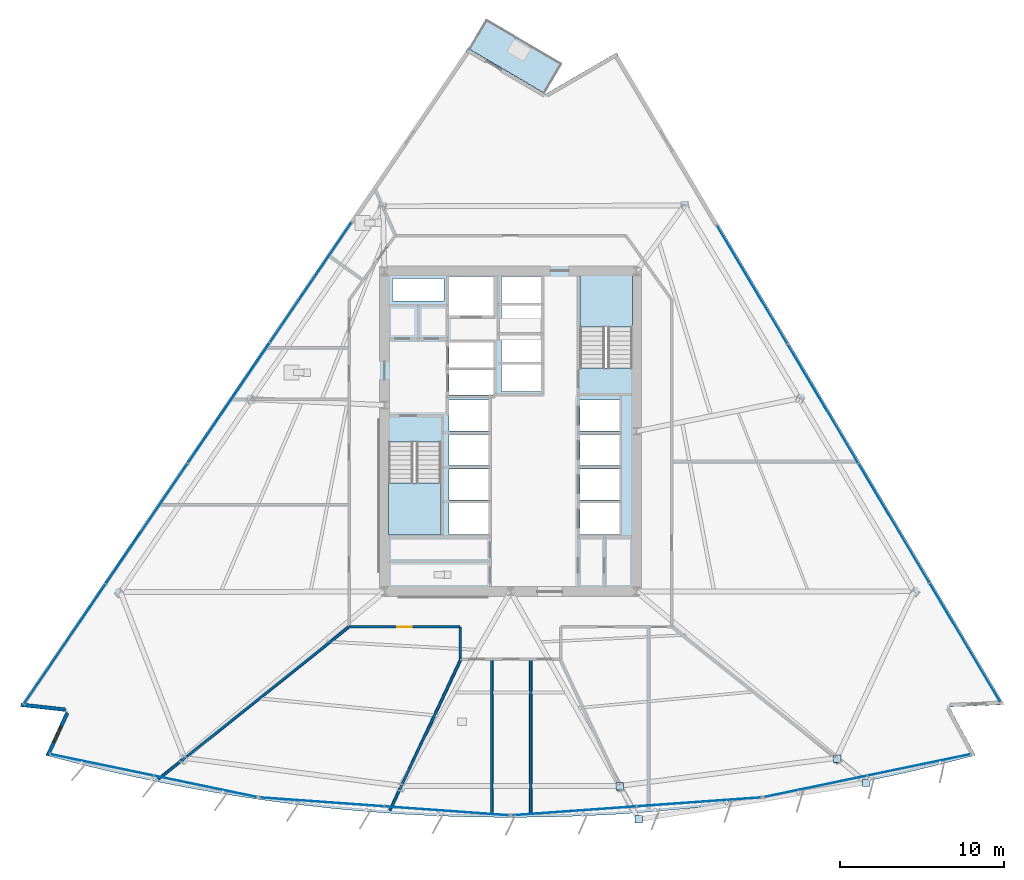
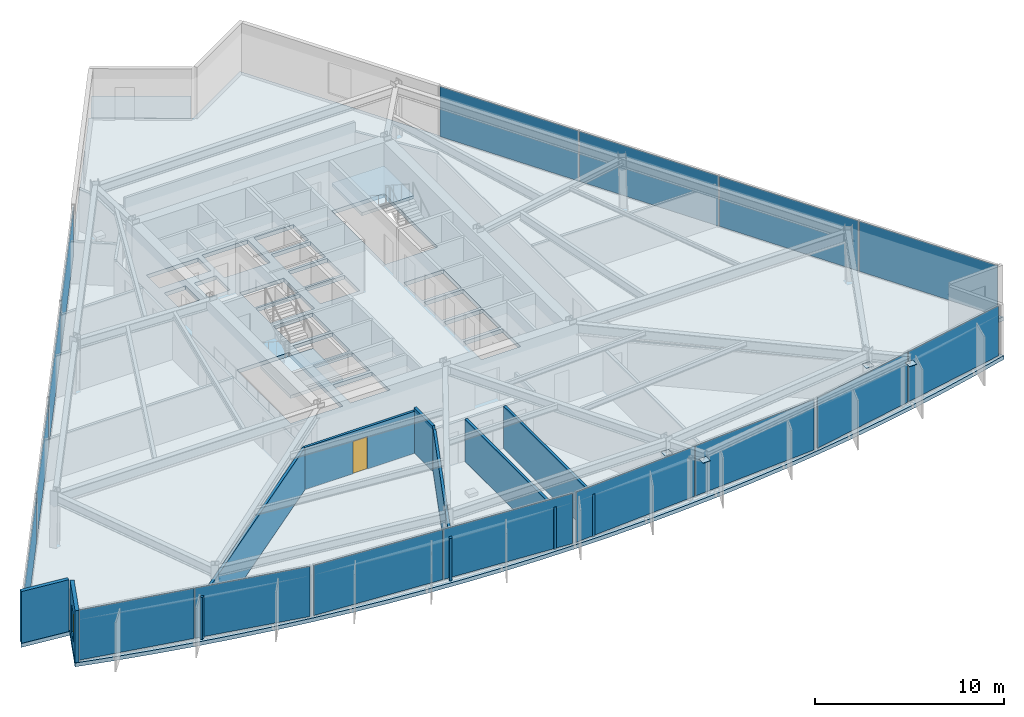
# One storey, part 8 of 18: 20 plates, 8 walls, 4 slabs, 1 door, 1 window, 2 openings, 8 elements without a shape of their own.
"""IFC4 building model written with IfcOpenShell, lengths in metres."""

import ifcopenshell
import ifcopenshell.guid

model = None  # the IFC model being written
_history = None  # IfcOwnerHistory: only IFC2X3 demands one
_inside = {}  # id of a spatial element -> (the spatial element, [elements in it])
_under = {}  # id of a project, library or spatial element -> (it, [spatial elements below it])
_declared = {}  # id of a project -> (the project, [libraries it declares])
_typed = {}  # id of a type object -> (the type object, [elements of that type])
_made_of = {}  # id of a material, layer set ... -> (it, [elements and type objects made of it])


def new_model(schema):
    """Start an empty IFC model of exactly this schema.

    Asked for "IFC4X3", IfcOpenShell would pick the latest addendum, in which some entities
    have other attributes; the version numbers below select the first issue.
    IFC2X3 requires an IfcOwnerHistory on every rooted entity: one is made here for all.
    """
    global model, _history
    if schema == "IFC4X3":
        model = ifcopenshell.file(schema_version=(4, 3, 0, 0))
    else:
        model = ifcopenshell.file(schema=schema)
    _inside.clear()
    _under.clear()
    _declared.clear()
    _typed.clear()
    _made_of.clear()
    _history = None
    if model.schema == "IFC2X3":
        org = make("IfcOrganization", Name="unknown")
        user = make(
            "IfcPersonAndOrganization",
            ThePerson=make("IfcPerson", FamilyName="unknown"),
            TheOrganization=org,
        )
        app = make(
            "IfcApplication",
            ApplicationDeveloper=org,
            Version="unknown",
            ApplicationFullName="unknown",
            ApplicationIdentifier="unknown",
        )
        _history = make(
            "IfcOwnerHistory",
            OwningUser=user,
            OwningApplication=app,
            ChangeAction="ADDED",
            CreationDate=0,
        )
    return model


def make(cls, **values):
    """One entity of the class cls with the attributes given. An attribute that is None is left unset."""
    return model.create_entity(
        cls, **{name: value for name, value in values.items() if value is not None}
    )


def rooted(cls, **values):
    """An entity with a GlobalId (a new one), such as an element, a storey or a relation."""
    return make(cls, GlobalId=ifcopenshell.guid.new(), OwnerHistory=_history, **values)


def si_unit(unit_type, name, prefix=None):
    """IfcSIUnit, for example si_unit("LENGTHUNIT", "METRE", prefix="MILLI")."""
    return make("IfcSIUnit", UnitType=unit_type, Prefix=prefix, Name=name)


def assignment(units):
    """IfcUnitAssignment: the units of a project."""
    return None if units is None else make("IfcUnitAssignment", Units=units)


def point(xyz):
    """IfcCartesianPoint."""
    return None if xyz is None else make("IfcCartesianPoint", Coordinates=xyz)


def direction(xyz):
    """IfcDirection."""
    return None if xyz is None else make("IfcDirection", DirectionRatios=xyz)


def frame(location, z_axis=None, x_axis=None):
    """IfcAxis2Placement3D, a coordinate frame: its origin and axes. An axis left out is left unset."""
    return make(
        "IfcAxis2Placement3D",
        Location=point(location),
        Axis=direction(z_axis),
        RefDirection=direction(x_axis),
    )


def frame_2d(location, x_axis=None):
    """IfcAxis2Placement2D, a coordinate frame in the plane: its origin and x axis."""
    return make(
        "IfcAxis2Placement2D", Location=point(location), RefDirection=direction(x_axis)
    )


def origin():
    """The frame at (0, 0, 0) with its axes left unset."""
    return frame((0.0, 0.0, 0.0))


def origin_2d():
    """The frame at (0, 0) in the plane with its x axis left unset."""
    return frame_2d((0.0, 0.0))


def place(relative_to, where):
    """IfcLocalPlacement: puts the frame where relative to a parent placement (None: the world)."""
    return make(
        "IfcLocalPlacement", PlacementRelTo=relative_to, RelativePlacement=where
    )


def context(
    kind, dimensions, precision=None, world=None, true_north=None, identifier=None
):
    """IfcGeometricRepresentationContext, for example the 3D "Model" context."""
    return make(
        "IfcGeometricRepresentationContext",
        ContextIdentifier=identifier,
        ContextType=kind,
        CoordinateSpaceDimension=dimensions,
        Precision=precision,
        WorldCoordinateSystem=world,
        TrueNorth=true_north,
    )


def subcontext(parent, identifier, kind, view, scale=None):
    """IfcGeometricRepresentationSubContext, for example "Body" below "Model"."""
    return make(
        "IfcGeometricRepresentationSubContext",
        ContextIdentifier=identifier,
        ContextType=kind,
        ParentContext=parent,
        TargetScale=scale,
        TargetView=view,
    )


def project(units=None, contexts=None):
    """IfcProject with its units and contexts."""
    return rooted(
        "IfcProject",
        Name="project",
        RepresentationContexts=contexts,
        UnitsInContext=assignment(units),
    )


def spatial(cls, under=None, at=None, **own):
    """A site, building, storey or space (cls), placed at a placement, below another one or the project."""
    s = rooted(cls, ObjectPlacement=at, **own)
    if under is not None:
        _under.setdefault(under.id(), (under, []))[1].append(s)
    return s


def polyline(points):
    """IfcPolyline through the points."""
    return make("IfcPolyline", Points=[point(p) for p in points])


def profile(cls, at=None, kind="AREA", **sizes):
    """A parametric profile (cls). Its sizes go by their IFC names, for example OverallWidth=200.0."""
    return make(cls, ProfileType=kind, Position=at, **sizes)


def rectangle(**sizes):
    """IfcRectangleProfileDef."""
    return profile("IfcRectangleProfileDef", **sizes)


def outline(outer, holes=None, kind="AREA"):
    """IfcArbitraryClosedProfileDef: a profile drawn as a closed curve; with holes, ...WithVoids."""
    if holes is None:
        return make("IfcArbitraryClosedProfileDef", ProfileType=kind, OuterCurve=outer)
    return make(
        "IfcArbitraryProfileDefWithVoids",
        ProfileType=kind,
        OuterCurve=outer,
        InnerCurves=holes,
    )


def extrude(swept, where, along, depth):
    """IfcExtrudedAreaSolid: the profile swept, set in the frame where, extruded along a direction by depth."""
    return make(
        "IfcExtrudedAreaSolid",
        SweptArea=swept,
        Position=where,
        ExtrudedDirection=direction(along),
        Depth=depth,
    )


def shape(context_of_items, identifier, shape_type, items):
    """IfcShapeRepresentation: the items that make up one representation, for example the "Body"."""
    return make(
        "IfcShapeRepresentation",
        ContextOfItems=context_of_items,
        RepresentationIdentifier=identifier,
        RepresentationType=shape_type,
        Items=items,
    )


def material(Name=None, Category=None):
    """IfcMaterial."""
    return make("IfcMaterial", Name=Name, Category=Category)


def layer(
    of_material, thickness, ventilated=None, Name=None, Category=None, Priority=None
):
    """IfcMaterialLayer: one layer of a wall or slab, of a material (None: an air gap)."""
    return make(
        "IfcMaterialLayer",
        Material=of_material,
        LayerThickness=thickness,
        IsVentilated=ventilated,
        Name=Name,
        Category=Category,
        Priority=Priority,
    )


def layer_set(layers, Name=None):
    """IfcMaterialLayerSet."""
    return make("IfcMaterialLayerSet", MaterialLayers=layers, LayerSetName=Name)


def made_of(thing, what):
    """Note that an element or type object is made of a material, layer set ...; save() writes the relation."""
    if what is not None:
        _made_of.setdefault(what.id(), (what, []))[1].append(thing)
    return thing


def type_object(cls, material=None, **own):
    """A type object (cls), such as IfcWallType, which elements share."""
    return made_of(rooted(cls, **own), material)


def element(
    cls,
    number,
    at=None,
    inside=None,
    cuts=None,
    type_object=None,
    material=None,
    context=None,
    identifier="Body",
    shape_type=None,
    held_by="IfcProductDefinitionShape",
    body=None,
    shapes=None,
    **own,
):
    """One element of the class cls, such as IfcWall. Its Tag is "e" and its number.

    at: its placement. inside: the storey or other place that contains it. cuts: it is an
    opening in that element (IfcRelVoidsElement). A single representation is given by context,
    identifier, shape_type and body (its items); several are given by shapes. held_by: the class
    of the entity that holds the representations. save() writes the other relations.
    """
    e = rooted(cls, Tag="e%d" % number, ObjectPlacement=at, **own)
    if body is not None:
        shapes = [shape(context, identifier, shape_type, body)]
    if shapes is not None:
        e.Representation = make(held_by, Representations=shapes)
    if inside is not None:
        _inside.setdefault(inside.id(), (inside, []))[1].append(e)
    if cuts is not None:
        rooted(
            "IfcRelVoidsElement", RelatingBuildingElement=cuts, RelatedOpeningElement=e
        )
    if type_object is not None:
        _typed.setdefault(type_object.id(), (type_object, []))[1].append(e)
    return made_of(e, material)


def fill(opening, filler):
    """IfcRelFillsElement: the door or window that sits in an opening."""
    return rooted(
        "IfcRelFillsElement",
        RelatingOpeningElement=opening,
        RelatedBuildingElement=filler,
    )


def aggregate(whole, parts):
    """IfcRelAggregates: a whole, such as a stair, and the parts it consists of."""
    return rooted("IfcRelAggregates", RelatingObject=whole, RelatedObjects=parts)


def save(model, path):
    """Write the relations noted so far, then the file.

    IfcRelAggregates (storeys below a building ...), IfcRelContainedInSpatialStructure (elements
    in a storey), IfcRelDefinesByType, IfcRelAssociatesMaterial and IfcRelDeclares: one each for
    every whole, place, type object, material and project.
    """
    for whole, parts in _under.values():
        aggregate(whole, parts)
    for where, things in _inside.values():
        rooted(
            "IfcRelContainedInSpatialStructure",
            RelatedElements=things,
            RelatingStructure=where,
        )
    for kind, things in _typed.values():
        rooted("IfcRelDefinesByType", RelatedObjects=things, RelatingType=kind)
    for what, things in _made_of.values():
        rooted("IfcRelAssociatesMaterial", RelatedObjects=things, RelatingMaterial=what)
    for by, libraries in _declared.values():
        rooted("IfcRelDeclares", RelatingContext=by, RelatedDefinitions=libraries)
    model.write(path)


model = new_model("IFC4")

# Units and contexts
model_context = context("Model", 3, precision=1e-05, world=origin(), true_north=direction((0.0, 1.0)))
body_context = subcontext(model_context, "Body", "Model", "MODEL_VIEW")
ifc_project = project(units=[si_unit("LENGTHUNIT", "METRE"), si_unit("AREAUNIT", "SQUARE_METRE"), si_unit("VOLUMEUNIT", "CUBIC_METRE"), si_unit("PLANEANGLEUNIT", "RADIAN"), si_unit("MASSUNIT", "GRAM", prefix="KILO")], contexts=[model_context])

# Site, building, storey
site_placement = place(None, origin())
site = spatial("IfcSite", under=ifc_project, at=site_placement, CompositionType="ELEMENT")
building_placement = place(site_placement, origin())
building = spatial("IfcBuilding", under=site, at=building_placement, Name="Savorim Split Tower", CompositionType="ELEMENT")
storey_placement = place(building_placement, frame((0.0, 0.0, 44.39990234375)))
storey = spatial("IfcBuildingStorey", under=building, at=storey_placement, Name="L11", CompositionType="ELEMENT", Elevation=44.39990234375)

# Curtain wall, plates
ifc_material_1 = material(Name="Dark Ceramic-Fritted Insulated Glass", Category="glass")
curtain_wall_type = type_object("IfcCurtainWallType", Name="CW-TWR-FRIT-A", PredefinedType="NOTDEFINED", material=ifc_material_1)
curtain_wall_1_placement = place(storey_placement, origin())
curtain_wall_1 = element("IfcCurtainWall", 1, at=curtain_wall_1_placement, inside=storey, type_object=curtain_wall_type, Name="L11 Curtain Wall CW-L11-SF1", PredefinedType="NOTDEFINED")
ifc_layer_1 = layer(ifc_material_1, 0.028076171875)
ifc_layer_set_1 = layer_set([ifc_layer_1], Name="CWP-FRITA-28")
plate_type_1 = type_object("IfcPlateType", Name="CWP-FRITA-28", PredefinedType="CURTAIN_PANEL", material=ifc_layer_set_1)
plate_1_placement = place(storey_placement, frame((-24.96826171875, -19.98974609375, 0.05517578125), z_axis=(0.0, 0.0, 1.0), x_axis=(0.979135110549, -0.203210322793, 0.0)))
plate_1 = element("IfcPlate", 2, at=plate_1_placement, type_object=plate_type_1, Name="CW-02 panel 1.1", PredefinedType="CURTAIN_PANEL", context=body_context, shape_type="SweptSolid", body=[
    extrude(rectangle(XDim=6.39013671875, YDim=0.028076171875, at=origin_2d()), origin(), (0.0, 0.0, 1.0), 3.239990234375),
])
plate_2_placement = place(storey_placement, frame((-18.647705078125, -21.301513671875, 0.05517578125), z_axis=(0.0, 0.0, 1.0), x_axis=(0.979135110549, -0.203210322793, 0.0)))
plate_2 = element("IfcPlate", 3, at=plate_2_placement, type_object=plate_type_1, Name="CW-02 panel 2.1", PredefinedType="CURTAIN_PANEL", context=body_context, shape_type="SweptSolid", body=[
    extrude(rectangle(XDim=6.39013671875, YDim=0.028076171875, at=origin_2d()), origin(), (0.0, 0.0, 1.0), 3.239990234375),
])
aggregate(curtain_wall_1, [plate_1, plate_2])

curtain_wall_2_placement = place(storey_placement, origin())
curtain_wall_2 = element("IfcCurtainWall", 4, at=curtain_wall_2_placement, inside=storey, type_object=curtain_wall_type, Name="L11 Curtain Wall CW-L11-SF2", PredefinedType="NOTDEFINED")
plate_3_placement = place(storey_placement, frame((-11.51123046875, -22.25390625, 0.05517578125), z_axis=(0.0, 0.0, 1.0), x_axis=(0.997436282589, -0.071560199658, 0.0)))
plate_3 = element("IfcPlate", 5, at=plate_3_placement, type_object=plate_type_1, Name="CW-02 panel 1.1", PredefinedType="CURTAIN_PANEL", context=body_context, shape_type="SweptSolid", body=[
    extrude(rectangle(XDim=7.572998046875, YDim=0.028076171875, at=origin_2d()), origin(), (0.0, 0.0, 1.0), 3.239990234375),
])
plate_4_placement = place(storey_placement, frame((-3.892822265625, -22.80029296875, 0.05517578125), z_axis=(0.0, 0.0, 1.0), x_axis=(0.997436282589, -0.071560199658, 0.0)))
plate_4 = element("IfcPlate", 6, at=plate_4_placement, type_object=plate_type_1, Name="CW-02 panel 2.1", PredefinedType="CURTAIN_PANEL", context=body_context, shape_type="SweptSolid", body=[
    extrude(rectangle(XDim=7.572998046875, YDim=0.028076171875, at=origin_2d()), origin(), (0.0, 0.0, 1.0), 3.239990234375),
])
aggregate(curtain_wall_2, [plate_3, plate_4])

curtain_wall_3_placement = place(storey_placement, origin())
curtain_wall_3 = element("IfcCurtainWall", 7, at=curtain_wall_3_placement, inside=storey, type_object=curtain_wall_type, Name="L11 Curtain Wall CW-L11-SF3", PredefinedType="NOTDEFINED")
plate_5_placement = place(storey_placement, frame((3.892822265625, -22.80029296875, 0.05517578125), z_axis=(0.0, 0.0, 1.0), x_axis=(0.997436282589, 0.071560199658, 0.0)))
plate_5 = element("IfcPlate", 8, at=plate_5_placement, type_object=plate_type_1, Name="CW-02 panel 1.1", PredefinedType="CURTAIN_PANEL", context=body_context, shape_type="SweptSolid", body=[
    extrude(rectangle(XDim=7.572998046875, YDim=0.028076171875, at=origin_2d()), origin(), (0.0, 0.0, 1.0), 3.239990234375),
])
plate_6_placement = place(storey_placement, frame((11.51123046875, -22.25390625, 0.05517578125), z_axis=(0.0, 0.0, 1.0), x_axis=(0.997436282589, 0.071560199658, 0.0)))
plate_6 = element("IfcPlate", 9, at=plate_6_placement, type_object=plate_type_1, Name="CW-02 panel 2.1", PredefinedType="CURTAIN_PANEL", context=body_context, shape_type="SweptSolid", body=[
    extrude(rectangle(XDim=7.572998046875, YDim=0.028076171875, at=origin_2d()), origin(), (0.0, 0.0, 1.0), 3.239990234375),
])
aggregate(curtain_wall_3, [plate_5, plate_6])

curtain_wall_4_placement = place(storey_placement, origin())
curtain_wall_4 = element("IfcCurtainWall", 10, at=curtain_wall_4_placement, inside=storey, type_object=curtain_wall_type, Name="L11 Curtain Wall CW-L11-SF4", PredefinedType="NOTDEFINED")
plate_7_placement = place(storey_placement, frame((18.647705078125, -21.301513671875, 0.05517578125), z_axis=(0.0, 0.0, 1.0), x_axis=(0.979135110549, 0.203210322793, 0.0)))
plate_7 = element("IfcPlate", 11, at=plate_7_placement, type_object=plate_type_1, Name="CW-02 panel 1.1", PredefinedType="CURTAIN_PANEL", context=body_context, shape_type="SweptSolid", body=[
    extrude(rectangle(XDim=6.39013671875, YDim=0.028076171875, at=origin_2d()), origin(), (0.0, 0.0, 1.0), 3.239990234375),
])
plate_8_placement = place(storey_placement, frame((24.96826171875, -19.98974609375, 0.05517578125), z_axis=(0.0, 0.0, 1.0), x_axis=(0.979135110549, 0.203210322793, 0.0)))
plate_8 = element("IfcPlate", 12, at=plate_8_placement, type_object=plate_type_1, Name="CW-02 panel 2.1", PredefinedType="CURTAIN_PANEL", context=body_context, shape_type="SweptSolid", body=[
    extrude(rectangle(XDim=6.39013671875, YDim=0.028076171875, at=origin_2d()), origin(), (0.0, 0.0, 1.0), 3.239990234375),
])
aggregate(curtain_wall_4, [plate_7, plate_8])

curtain_wall_5_placement = place(storey_placement, origin())
curtain_wall_5 = element("IfcCurtainWall", 13, at=curtain_wall_5_placement, inside=storey, type_object=curtain_wall_type, Name="L11 Curtain Wall CW-L11-EAST", PredefinedType="NOTDEFINED")
plate_9_placement = place(storey_placement, frame((27.76611328125, -12.51416015625, 0.05517578125), z_axis=(0.0, 0.0, 1.0), x_axis=(-0.511092439425, 0.859525752007, 0.0)))
plate_9 = element("IfcPlate", 14, at=plate_9_placement, type_object=plate_type_1, Name="CW-02 panel 1.1", PredefinedType="CURTAIN_PANEL", context=body_context, shape_type="SweptSolid", body=[
    extrude(rectangle(XDim=8.394775390625, YDim=0.028076171875, at=origin_2d()), origin(), (0.0, 0.0, 1.0), 3.239990234375),
])
plate_10_placement = place(storey_placement, frame((23.43408203125, -5.228759765625, 0.05517578125), z_axis=(0.0, 0.0, 1.0), x_axis=(-0.511092439425, 0.859525752007, 0.0)))
plate_10 = element("IfcPlate", 15, at=plate_10_placement, type_object=plate_type_1, Name="CW-02 panel 2.1", PredefinedType="CURTAIN_PANEL", context=body_context, shape_type="SweptSolid", body=[
    extrude(rectangle(XDim=8.42724609375, YDim=0.028076171875, at=origin_2d()), origin(), (0.0, 0.0, 1.0), 3.239990234375),
])
plate_11_placement = place(storey_placement, frame((19.093505859375, 2.070556640625, 0.05517578125), z_axis=(0.0, 0.0, 1.0), x_axis=(-0.511092439425, 0.859525752007, 0.0)))
plate_11 = element("IfcPlate", 16, at=plate_11_placement, type_object=plate_type_1, Name="CW-02 panel 3.1", PredefinedType="CURTAIN_PANEL", context=body_context, shape_type="SweptSolid", body=[
    extrude(rectangle(XDim=8.42724609375, YDim=0.028076171875, at=origin_2d()), origin(), (0.0, 0.0, 1.0), 3.239990234375),
])
plate_12_placement = place(storey_placement, frame((14.761474609375, 9.35595703125, 0.05517578125), z_axis=(0.0, 0.0, 1.0), x_axis=(-0.511092439425, 0.859525752007, 0.0)))
plate_12 = element("IfcPlate", 17, at=plate_12_placement, type_object=plate_type_1, Name="CW-02 panel 4.1", PredefinedType="CURTAIN_PANEL", context=body_context, shape_type="SweptSolid", body=[
    extrude(rectangle(XDim=8.394775390625, YDim=0.028076171875, at=origin_2d()), origin(), (0.0, 0.0, 1.0), 3.239990234375),
])
aggregate(curtain_wall_5, [plate_9, plate_10, plate_11, plate_12])

curtain_wall_6_placement = place(storey_placement, origin())
curtain_wall_6 = element("IfcCurtainWall", 18, at=curtain_wall_6_placement, inside=storey, type_object=curtain_wall_type, Name="L11 Curtain Wall CW-L11-WEST", PredefinedType="NOTDEFINED")
plate_13_placement = place(storey_placement, frame((-12.20166015625, 9.489990234375, 0.05517578125), z_axis=(0.0, 0.0, 1.0), x_axis=(-0.562465253164, -0.826820923165, 0.0)))
plate_13 = element("IfcPlate", 19, at=plate_13_placement, type_object=plate_type_1, Name="CW-02 panel 1.1", PredefinedType="CURTAIN_PANEL", context=body_context, shape_type="SweptSolid", body=[
    extrude(rectangle(XDim=8.822265625, YDim=0.028076171875, at=origin_2d()), origin(), (0.0, 0.0, 1.0), 3.239990234375),
])
plate_14_placement = place(storey_placement, frame((-17.20947265625, 2.12841796875, 0.05517578125), z_axis=(0.0, 0.0, 1.0), x_axis=(-0.562465253164, -0.826820923165, 0.0)))
plate_14 = element("IfcPlate", 20, at=plate_14_placement, type_object=plate_type_1, Name="CW-02 panel 2.1", PredefinedType="CURTAIN_PANEL", context=body_context, shape_type="SweptSolid", body=[
    extrude(rectangle(XDim=8.854736328125, YDim=0.028076171875, at=origin_2d()), origin(), (0.0, 0.0, 1.0), 3.239990234375),
])
plate_15_placement = place(storey_placement, frame((-22.2265625, -5.24658203125, 0.05517578125), z_axis=(0.0, 0.0, 1.0), x_axis=(-0.562465253164, -0.826820923165, 0.0)))
plate_15 = element("IfcPlate", 21, at=plate_15_placement, type_object=plate_type_1, Name="CW-02 panel 3.1", PredefinedType="CURTAIN_PANEL", context=body_context, shape_type="SweptSolid", body=[
    extrude(rectangle(XDim=8.854736328125, YDim=0.028076171875, at=origin_2d()), origin(), (0.0, 0.0, 1.0), 3.239990234375),
])
plate_16_placement = place(storey_placement, frame((-27.234375, -12.608154296875, 0.05517578125), z_axis=(0.0, 0.0, 1.0), x_axis=(-0.562465253164, -0.826820923165, 0.0)))
plate_16 = element("IfcPlate", 22, at=plate_16_placement, type_object=plate_type_1, Name="CW-02 panel 4.1", PredefinedType="CURTAIN_PANEL", context=body_context, shape_type="SweptSolid", body=[
    extrude(rectangle(XDim=8.822265625, YDim=0.028076171875, at=origin_2d()), origin(), (0.0, 0.0, 1.0), 3.239990234375),
])
aggregate(curtain_wall_6, [plate_13, plate_14, plate_15, plate_16])

# Plates
ifc_material_2 = material(Name="Steel S460", Category="steel")
ifc_layer_2 = layer(ifc_material_2, 0.02490234375)
ifc_layer_set_2 = layer_set([ifc_layer_2], Name="PLT-NODE-CN1")
plate_type_2 = type_object("IfcPlateType", Name="PLT-NODE-CN1", PredefinedType="SHEET", material=ifc_layer_set_2)
for number, where, z_axis, x_axis, name in (
    (23, (6.690185546875, -21.308837890625, 2.437744140625), (0.0, 0.0, 1.0), (1.0, 0.0, 0.0), "L11 Bay Strut Column Gusset Plate 1"),
    (24, (7.835205078125, -23.316162109375, 2.8076171875), (0.0, 0.0, 1.0), (1.0, 0.0, 0.0), "L11 Bay Strut Tip Gusset Plate 1"),
    (25, (19.96142578125, -19.60498046875, 2.437744140625), (0.0, 0.0, 1.0), (1.0, 0.0, 0.0), "L11 Bay Strut Column Gusset Plate 2"),
    (26, (21.745361328125, -21.068115234375, 2.8076171875), (0.0, 0.0, 1.0), (1.0, 0.0, 0.0), "L11 Bay Strut Tip Gusset Plate 2"),
):
    element("IfcPlate", number, at=place(storey_placement, frame(where, z_axis=z_axis, x_axis=x_axis)), inside=storey, type_object=plate_type_2, Name=name, PredefinedType="SHEET", context=body_context, shape_type="SweptSolid", body=[
        extrude(rectangle(XDim=0.4599609375, YDim=0.4599609375, at=origin_2d()), origin(), (0.0, 0.0, 1.0), 0.02490234375),
    ])

# Slab
ifc_material_3 = material(Name="Concrete C50/60", Category="concrete")
ifc_layer_3 = layer(ifc_material_3, 0.219970703125)
ifc_layer_set_3 = layer_set([ifc_layer_3], Name="SLB-BAL-220")
slab_type_1 = type_object("IfcSlabType", Name="SLB-BAL-220", PredefinedType="FLOOR", material=ifc_layer_set_3)
slab_1_placement = place(storey_placement, frame((0.0, 0.0, -0.219970703125)))
element("IfcSlab", 27, at=slab_1_placement, inside=storey, type_object=slab_type_1, Name="L11 Notched Corner Planted Tree Balcony Slab", PredefinedType="FLOOR", context=body_context, shape_type="SweptSolid", body=[
    extrude(outline(polyline([(-2.50244140625, 23.74853515625), (2.049072265625, 21.073486328125), (3.085205078125, 22.836669921875), (-1.46630859375, 25.51171875), (-2.50244140625, 23.74853515625)])), origin(), (0.0, 0.0, 1.0), 0.219970703125),
])

# Stair, slab
stair_type = type_object("IfcStairType", Name="STR-DOG-3600", PredefinedType="HALF_TURN_STAIR", material=ifc_material_3)
stair_1_placement = place(storey_placement, origin())
stair_1 = element("IfcStair", 28, at=stair_1_placement, inside=storey, type_object=stair_type, Name="L11 Core Protected Exit Stair ST-1", PredefinedType="HALF_TURN_STAIR")
ifc_layer_4 = layer(ifc_material_3, 0.199951171875)
ifc_layer_set_4 = layer_set([ifc_layer_4], Name="SLB-LND-200")
slab_type_2 = type_object("IfcSlabType", Name="SLB-LND-200", PredefinedType="LANDING", material=ifc_layer_set_4)
slab_2_placement = place(storey_placement, frame((0.0, 0.0, 1.60009765625)))
slab_2 = element("IfcSlab", 29, at=slab_2_placement, type_object=slab_type_2, Name="ST-1 landing 1", PredefinedType="LANDING", context=body_context, shape_type="SweptSolid", body=[
    extrude(outline(polyline([(-7.449951171875, -2.77001953125), (-7.449951171875, -5.949951171875), (-4.25, -5.949951171875), (-4.25, -2.77001953125), (-7.449951171875, -2.77001953125)])), origin(), (0.0, 0.0, 1.0), 0.199951171875),
])
aggregate(stair_1, [slab_2])

stair_2_placement = place(storey_placement, origin())
stair_2 = element("IfcStair", 30, at=stair_2_placement, inside=storey, type_object=stair_type, Name="L11 Core Protected Exit Stair ST-2", PredefinedType="HALF_TURN_STAIR")
slab_3_placement = place(storey_placement, frame((0.0, 0.0, 1.60009765625)))
slab_3 = element("IfcSlab", 31, at=slab_3_placement, type_object=slab_type_2, Name="ST-2 landing 1", PredefinedType="LANDING", context=body_context, shape_type="SweptSolid", body=[
    extrude(outline(polyline([(7.449951171875, 6.77001953125), (7.449951171875, 9.949951171875), (4.25, 9.949951171875), (4.25, 6.77001953125), (7.449951171875, 6.77001953125)])), origin(), (0.0, 0.0, 1.0), 0.199951171875),
])
aggregate(stair_2, [slab_3])

# Slab
ifc_layer_5 = layer(ifc_material_3, 0.25)
ifc_layer_set_5 = layer_set([ifc_layer_5], Name="SLB-TWR-250")
slab_type_3 = type_object("IfcSlabType", Name="SLB-TWR-250", PredefinedType="FLOOR", material=ifc_layer_set_5)
slab_4_placement = place(storey_placement, frame((0.0, 0.0, -0.25)))
element("IfcSlab", 32, at=slab_4_placement, inside=storey, type_object=slab_type_3, Name="L11 Structural Floor Slab", PredefinedType="FLOOR", context=body_context, shape_type="SweptSolid", body=[
    extrude(outline(polyline([(-28.39990234375, -19.39990234375), (-26.261474609375, -19.959228515625), (-24.11181640625, -20.474609375), (-21.951904296875, -20.946044921875), (-19.783203125, -21.373046875), (-17.60595703125, -21.755615234375), (-15.42138671875, -22.093505859375), (-13.230224609375, -22.38671875), (-11.03369140625, -22.635009765625), (-8.83251953125, -22.83837890625), (-6.627685546875, -22.99658203125), (-4.419921875, -23.109619140625), (-2.21044921875, -23.177490234375), (0.0, -23.199951171875), (2.21044921875, -23.177490234375), (4.419921875, -23.109619140625), (6.627685546875, -22.99658203125), (8.83251953125, -22.83837890625), (11.03369140625, -22.635009765625), (13.230224609375, -22.38671875), (15.42138671875, -22.093505859375), (17.60595703125, -21.755615234375), (19.783203125, -21.373046875), (21.951904296875, -20.946044921875), (24.11181640625, -20.474609375), (26.261474609375, -19.959228515625), (28.39990234375, -19.39990234375), (26.81591796875, -16.447998046875), (30.16015625, -16.3056640625), (6.473876953125, 23.5283203125), (2.14990234375, 21.00830078125), (-2.6083984375, 23.80517578125), (-29.97509765625, -16.423583984375), (-27.176025390625, -16.736083984375), (-28.39990234375, -19.39990234375)]), holes=[polyline([(-7.449951171875, -0.25390625), (-7.449951171875, -5.949951171875), (-4.25, -5.949951171875), (-4.25, -0.25390625), (-7.449951171875, -0.25390625)]), polyline([(7.449951171875, 4.25390625), (7.449951171875, 9.949951171875), (4.25, 9.949951171875), (4.25, 4.25390625), (7.449951171875, 4.25390625)]), polyline([(4.25, -5.89990234375), (6.64990234375, -5.89990234375), (6.64990234375, -4.0), (4.25, -4.0), (4.25, -5.89990234375)]), polyline([(4.25, -3.800048828125), (6.64990234375, -3.800048828125), (6.64990234375, -1.89990234375), (4.25, -1.89990234375), (4.25, -3.800048828125)]), polyline([(4.25, -1.699951171875), (6.64990234375, -1.699951171875), (6.64990234375, 0.199951171875), (4.25, 0.199951171875), (4.25, -1.699951171875)]), polyline([(4.25, 0.39990234375), (6.64990234375, 0.39990234375), (6.64990234375, 2.300048828125), (4.25, 2.300048828125), (4.25, 0.39990234375)]), polyline([(-3.75, -5.89990234375), (-1.35009765625, -5.89990234375), (-1.35009765625, -4.0), (-3.75, -4.0), (-3.75, -5.89990234375)]), polyline([(-3.75, -3.800048828125), (-1.35009765625, -3.800048828125), (-1.35009765625, -1.89990234375), (-3.75, -1.89990234375), (-3.75, -3.800048828125)]), polyline([(-3.75, -1.699951171875), (-1.35009765625, -1.699951171875), (-1.35009765625, 0.199951171875), (-3.75, 0.199951171875), (-3.75, -1.699951171875)]), polyline([(-3.75, 0.39990234375), (-1.35009765625, 0.39990234375), (-1.35009765625, 2.300048828125), (-3.75, 2.300048828125), (-3.75, 0.39990234375)]), polyline([(-0.550048828125, 2.830078125), (1.85009765625, 2.830078125), (1.85009765625, 4.469970703125), (-0.550048828125, 4.469970703125), (-0.550048828125, 2.830078125)]), polyline([(-0.550048828125, 4.6298828125), (1.85009765625, 4.6298828125), (1.85009765625, 6.27001953125), (-0.550048828125, 6.27001953125), (-0.550048828125, 4.6298828125)]), polyline([(-0.550048828125, 6.429931640625), (1.85009765625, 6.429931640625), (1.85009765625, 8.070068359375), (-0.550048828125, 8.070068359375), (-0.550048828125, 6.429931640625)]), polyline([(-0.550048828125, 8.22998046875), (1.85009765625, 8.22998046875), (1.85009765625, 9.8701171875), (-0.550048828125, 9.8701171875), (-0.550048828125, 8.22998046875)]), polyline([(-3.75, 2.60009765625), (-1.050048828125, 2.60009765625), (-1.050048828125, 4.159912109375), (-3.75, 4.159912109375), (-3.75, 2.60009765625)]), polyline([(-3.75, 4.280029296875), (-1.050048828125, 4.280029296875), (-1.050048828125, 5.840087890625), (-3.75, 5.840087890625), (-3.75, 4.280029296875)]), polyline([(-3.75, 7.449951171875), (-0.949951171875, 7.449951171875), (-0.949951171875, 9.85009765625), (-3.75, 9.85009765625), (-3.75, 7.449951171875)]), polyline([(-7.219970703125, 6.320068359375), (-5.919921875, 6.320068359375), (-5.919921875, 7.820068359375), (-7.219970703125, 7.820068359375), (-7.219970703125, 6.320068359375)]), polyline([(-5.3798828125, 6.320068359375), (-4.050048828125, 6.320068359375), (-4.050048828125, 7.820068359375), (-5.3798828125, 7.820068359375), (-5.3798828125, 6.320068359375)]), polyline([(-7.219970703125, 8.360107421875), (-4.050048828125, 8.360107421875), (-4.050048828125, 9.719970703125), (-7.219970703125, 9.719970703125), (-7.219970703125, 8.360107421875)])]), origin(), (0.0, 0.0, 1.0), 0.25),
])

# Wall
ifc_material_4 = material(Name="Precast concrete C40/50", Category="concrete")
ifc_layer_6 = layer(ifc_material_4, 0.219970703125)
ifc_layer_set_6 = layer_set([ifc_layer_6], Name="WAL-EXT-CRN220")
wall_type_1 = type_object("IfcWallType", Name="WAL-EXT-CRN220", PredefinedType="SOLIDWALL", material=ifc_layer_set_6)
wall_1_placement = place(storey_placement, frame((-27.202392578125, -16.6123046875, 0.0), z_axis=(0.0, 0.0, 1.0), x_axis=(-0.993822658088, 0.110979837223, 0.0)))
element("IfcWall", 33, at=wall_1_placement, inside=storey, type_object=wall_type_1, Name="L11 Notched Corner Facade Wall SW1", PredefinedType="SOLIDWALL", context=body_context, shape_type="SweptSolid", body=[
    extrude(rectangle(XDim=2.736572265625, YDim=0.219970703125, at=frame_2d((1.3681640625, 0.0))), origin(), (0.0, 0.0, 1.0), 3.35009765625),
])

# Wall, opening, window
wall_2_placement = place(storey_placement, frame((-28.2744140625, -19.413818359375, 0.0), z_axis=(0.0, 0.0, 1.0), x_axis=(0.417521186742, 0.908667188041, 0.0)))
wall_2 = element("IfcWall", 34, at=wall_2_placement, inside=storey, type_object=wall_type_1, Name="L11 Notched Corner Facade Wall SW", PredefinedType="SOLIDWALL", context=body_context, shape_type="SweptSolid", body=[
    extrude(rectangle(XDim=2.851806640625, YDim=0.219970703125, at=frame_2d((1.42578125, 0.0))), origin(), (0.0, 0.0, 1.0), 3.35009765625),
])
opening_1_placement = place(wall_2_placement, frame((0.8759765625, 0.0, 0.6201171875)))
opening_1 = element("IfcOpeningElement", 35, at=opening_1_placement, cuts=wall_2, Name="Opening WN-09", PredefinedType="OPENING", context=body_context, shape_type="SweptSolid", body=[
    extrude(rectangle(XDim=1.10009765625, YDim=1.800048828125, at=frame_2d((0.550048828125, 0.89990234375))), frame((0.0, 0.119873046875, 0.0), z_axis=(0.0, -1.0, 0.0), x_axis=(1.0, 0.0, 0.0)), (0.0, 0.0, 1.0), 0.239990234375),
])
ifc_material_5 = material(Name="Low-E Operable Double Glazing", Category="glass")
window_type = type_object("IfcWindowType", Name="WIN-TWR-1100x1800", PartitioningType="SINGLE_PANEL", PredefinedType="WINDOW", material=ifc_material_5)
window_placement = place(opening_1_placement, origin())
window = element("IfcWindow", 36, at=window_placement, inside=storey, type_object=window_type, Name="L11 Operable Corner Window SW", OverallHeight=1.800048828125, OverallWidth=1.10009765625, PartitioningType="SINGLE_PANEL", PredefinedType="WINDOW", context=body_context, shape_type="SweptSolid", body=[
    extrude(rectangle(XDim=1.10009765625, YDim=1.800048828125, at=frame_2d((0.550048828125, 0.89990234375))), frame((0.0, 0.030029296875, 0.0), z_axis=(0.0, -1.0, 0.0), x_axis=(1.0, 0.0, 0.0)), (0.0, 0.0, 1.0), 0.06005859375),
])
fill(opening_1, window)

# Wall
ifc_material_6 = material(Name="Acoustic Gypsum Partition Board")
ifc_layer_7 = layer(ifc_material_6, 0.14990234375)
ifc_layer_set_7 = layer_set([ifc_layer_7], Name="WAL-PAR-150")
wall_type_2 = type_object("IfcWallType", Name="WAL-PAR-150", PredefinedType="PARTITIONING", material=ifc_layer_set_7)
wall_3_placement = place(storey_placement, frame((-3.080078125, -13.530029296875, 0.0), z_axis=(0.0, 0.0, 1.0), x_axis=(0.0, 1.0, 0.0)))
element("IfcWall", 37, at=wall_3_placement, inside=storey, type_object=wall_type_2, Name="L11 Partition W-L11-COR-09", PredefinedType="PARTITIONING", context=body_context, shape_type="SweptSolid", body=[
    extrude(rectangle(XDim=1.969970703125, YDim=0.14990234375, at=frame_2d((0.98486328125, 0.0))), origin(), (0.0, 0.0, 1.0), 2.925048828125),
])

# Wall, opening, door
wall_4_placement = place(storey_placement, frame((-3.080078125, -11.56005859375, 0.0), z_axis=(0.0, 0.0, 1.0), x_axis=(-1.0, 0.0, 0.0)))
wall_4 = element("IfcWall", 38, at=wall_4_placement, inside=storey, type_object=wall_type_2, Name="L11 Partition W-L11-COR-10", PredefinedType="PARTITIONING", context=body_context, shape_type="SweptSolid", body=[
    extrude(rectangle(XDim=6.780029296875, YDim=0.14990234375, at=frame_2d((3.39013671875, 0.0))), origin(), (0.0, 0.0, 1.0), 2.72509765625),
])
opening_2_placement = place(wall_4_placement, frame((2.93994140625, 0.0, 0.0)))
opening_2 = element("IfcOpeningElement", 39, at=opening_2_placement, cuts=wall_4, Name="Opening DI-06", PredefinedType="OPENING", context=body_context, shape_type="SweptSolid", body=[
    extrude(rectangle(XDim=0.89990234375, YDim=2.10009765625, at=frame_2d((0.449951171875, 1.050048828125))), frame((0.0, 0.0849609375, 0.0), z_axis=(0.0, -1.0, 0.0), x_axis=(1.0, 0.0, 0.0)), (0.0, 0.0, 1.0), 0.169921875),
])
ifc_material_7 = material(Name="Timber Fire Door Leaf", Category="wood")
door_type = type_object("IfcDoorType", Name="DOR-FIR-900", OperationType="NOTDEFINED", PredefinedType="DOOR", material=ifc_material_7)
door_placement = place(opening_2_placement, origin())
door = element("IfcDoor", 40, at=door_placement, inside=storey, type_object=door_type, Name="DR-L11-RM03 - L11 Co-Working Commons Entry Door", OperationType="SINGLE_SWING_RIGHT", OverallHeight=2.10009765625, OverallWidth=0.89990234375, PredefinedType="DOOR", context=body_context, shape_type="SweptSolid", body=[
    extrude(rectangle(XDim=0.89990234375, YDim=2.10009765625, at=frame_2d((0.449951171875, 1.050048828125))), frame((0.0, 0.02490234375, 0.0), z_axis=(0.0, -1.0, 0.0), x_axis=(1.0, 0.0, 0.0)), (0.0, 0.0, 1.0), 0.050048828125),
])
fill(opening_2, door)

# Walls
wall_5_placement = place(storey_placement, frame((-9.88818359375, -11.568603515625, 0.0), z_axis=(0.0, 0.0, 1.0), x_axis=(-0.781299107074, -0.624156795433, 0.0)))
element("IfcWall", 41, at=wall_5_placement, inside=storey, type_object=wall_type_2, Name="L11 Partition W-L11-PRAD01", PredefinedType="PARTITIONING", context=body_context, shape_type="SweptSolid", body=[
    extrude(rectangle(XDim=14.8837890625, YDim=0.14990234375, at=frame_2d((7.44189453125, 0.0))), origin(), (0.0, 0.0, 1.0), 2.72509765625),
])
wall_6_placement = place(storey_placement, frame((-3.053466796875, -13.5791015625, 0.0), z_axis=(0.0, 0.0, 1.0), x_axis=(-0.425109320036, -0.905142014282, 0.0)))
element("IfcWall", 42, at=wall_6_placement, inside=storey, type_object=wall_type_2, Name="L11 Partition W-L11-PRAD02", PredefinedType="PARTITIONING", context=body_context, shape_type="SweptSolid", body=[
    extrude(rectangle(XDim=10.156982421875, YDim=0.14990234375, at=frame_2d((5.07861328125, 0.0))), origin(), (0.0, 0.0, 1.0), 2.72509765625),
])
wall_7_placement = place(storey_placement, frame((-1.137451171875, -13.590087890625, 0.0), z_axis=(0.0, 0.0, 1.0), x_axis=(0.0, -1.0, 0.0)))
element("IfcWall", 43, at=wall_7_placement, inside=storey, type_object=wall_type_2, Name="L11 Partition W-L11-SUB01", PredefinedType="PARTITIONING", context=body_context, shape_type="SweptSolid", body=[
    extrude(rectangle(XDim=9.42822265625, YDim=0.14990234375, at=frame_2d((4.714111328125, 0.0))), origin(), (0.0, 0.0, 1.0), 2.735107421875),
])
wall_8_placement = place(storey_placement, frame((1.236328125, -13.590087890625, 0.0), z_axis=(0.0, 0.0, 1.0), x_axis=(0.0, -1.0, 0.0)))
element("IfcWall", 44, at=wall_8_placement, inside=storey, type_object=wall_type_2, Name="L11 Partition W-L11-SUB04", PredefinedType="PARTITIONING", context=body_context, shape_type="SweptSolid", body=[
    extrude(rectangle(XDim=9.42724609375, YDim=0.14990234375, at=frame_2d((4.713623046875, 0.0))), origin(), (0.0, 0.0, 1.0), 2.735107421875),
])

save(model, "model.ifc")
